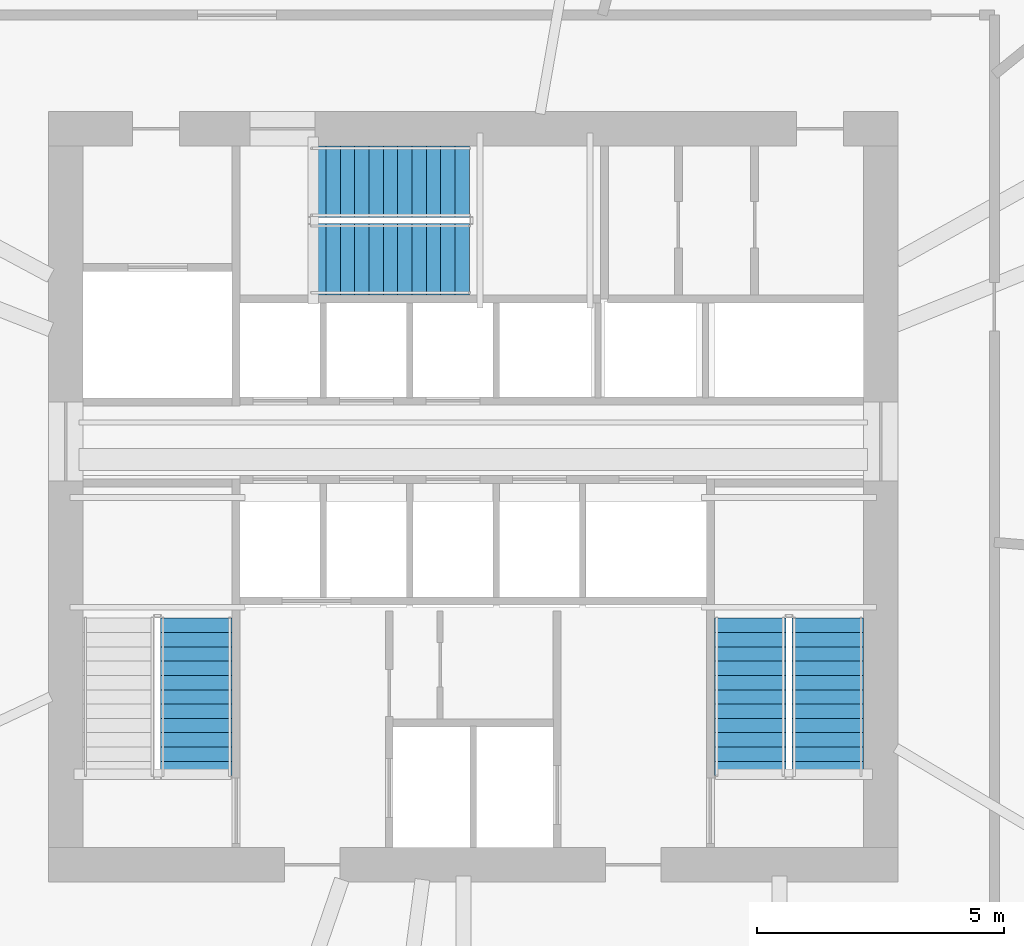
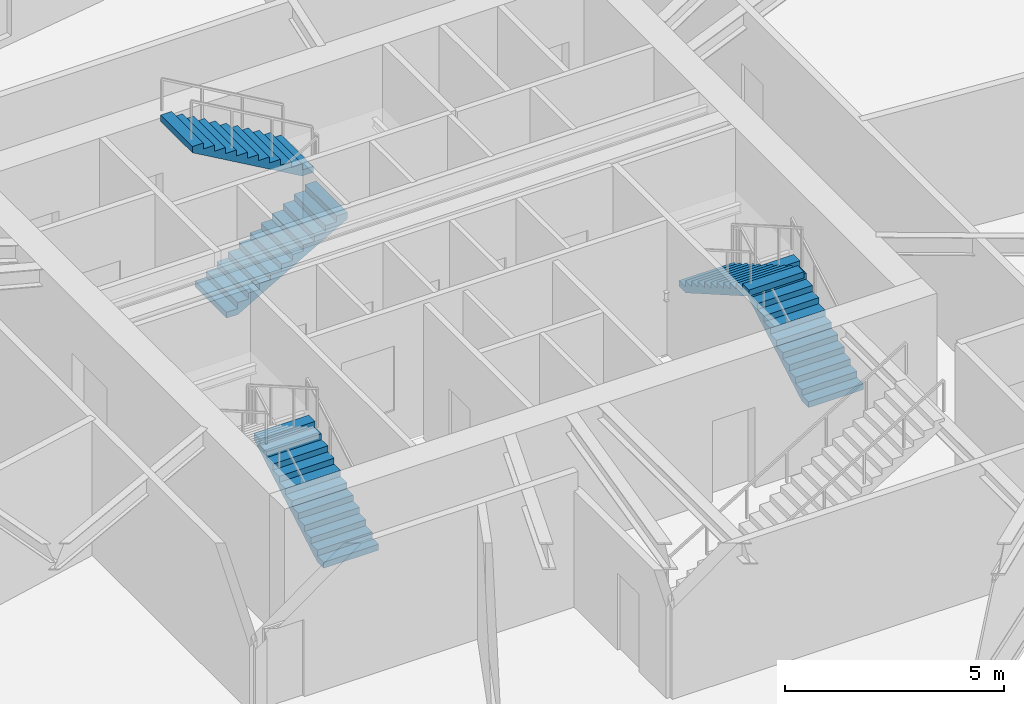
# One storey, part 14 of 16: 5 stair flights, 3 elements without a shape of their own.
"""IFC4 building model written with IfcOpenShell, lengths in metres."""

from ifc_helpers import new_model, si_unit, direction, frame, origin, place, context, subcontext, project, spatial, polyline, outline, extrude, material, type_object, element, aggregate, save


model = new_model("IFC4")

# Units and contexts
model_context = context("Model", 3, precision=1e-05, world=origin(), true_north=direction((0.0, 1.0)))
body_context = subcontext(model_context, "Body", "Model", "MODEL_VIEW")
ifc_project = project(units=[si_unit("LENGTHUNIT", "METRE"), si_unit("AREAUNIT", "SQUARE_METRE"), si_unit("VOLUMEUNIT", "CUBIC_METRE"), si_unit("PLANEANGLEUNIT", "RADIAN"), si_unit("MASSUNIT", "GRAM", prefix="KILO")], contexts=[model_context])

# Site, building, storey
site_placement = place(None, origin())
site = spatial("IfcSite", under=ifc_project, at=site_placement, CompositionType="ELEMENT")
building_placement = place(site_placement, origin())
building = spatial("IfcBuilding", under=site, at=building_placement, Name="Olszyna Solenne Hotel", CompositionType="ELEMENT")
storey_placement = place(building_placement, frame((0.0, 0.0, 134.10009765625)))
storey = spatial("IfcBuildingStorey", under=building, at=storey_placement, Name="L35", CompositionType="ELEMENT", Elevation=134.10009765625)

# Stair, stair flight
ifc_material = material(Name="Concrete C40/50", Category="concrete")
stair_type = type_object("IfcStairType", Name="STR-C1", PredefinedType="TWO_QUARTER_WINDING_STAIR", material=ifc_material)
stair_1_placement = place(storey_placement, origin())
stair_1 = element("IfcStair", 1, at=stair_1_placement, inside=storey, type_object=stair_type, Name="L35 ST1", PredefinedType="TWO_QUARTER_WINDING_STAIR")
stair_flight_type = type_object("IfcStairFlightType", Name="FLT-C1", PredefinedType="STRAIGHT", material=ifc_material)
stair_flight_1_placement = place(storey_placement, frame((32.39501953125, 20.949951171875, 0.0), z_axis=(0.0, 0.0, 1.0), x_axis=(0.0, 1.0, 0.0)))
stair_flight_1 = element("IfcStairFlight", 2, at=stair_flight_1_placement, type_object=stair_flight_type, Name="ST1 flight 1", NumberOfRisers=12, NumberOfTreads=11, PredefinedType="STRAIGHT", RiserHeight=0.166666667, TreadLength=0.29, context=body_context, shape_type="SweptSolid", body=[
    extrude(outline(polyline([(0.0, 0.0), (0.0, 0.166748046875), (0.2900390625, 0.166748046875), (0.2900390625, 0.333251953125), (0.580078125, 0.333251953125), (0.580078125, 0.5), (0.8701171875, 0.5), (0.8701171875, 0.666748046875), (1.159912109375, 0.666748046875), (1.159912109375, 0.833251953125), (1.449951171875, 0.833251953125), (1.449951171875, 1.0), (1.739990234375, 1.0), (1.739990234375, 1.166748046875), (2.030029296875, 1.166748046875), (2.030029296875, 1.333251953125), (2.320068359375, 1.333251953125), (2.320068359375, 1.5), (2.610107421875, 1.5), (2.610107421875, 1.666748046875), (2.89990234375, 1.666748046875), (2.89990234375, 1.833251953125), (3.18994140625, 1.833251953125), (3.18994140625, 2.0), (3.18994140625, 1.660400390625), (0.30078125, 0.0), (0.0, 0.0)])), frame((0.0, 0.72509765625, 0.0), z_axis=(0.0, -1.0, 0.0), x_axis=(1.0, 0.0, 0.0)), (0.0, 0.0, 1.0), 1.449951171875),
])
aggregate(stair_1, [stair_flight_1])

# Stair, stair flights
stair_2_placement = place(storey_placement, origin())
stair_2 = element("IfcStair", 3, at=stair_2_placement, inside=storey, type_object=stair_type, Name="L35 ST2", PredefinedType="TWO_QUARTER_WINDING_STAIR")
stair_flight_2_placement = place(storey_placement, frame((45.175048828125, 20.949951171875, 0.0), z_axis=(0.0, 0.0, 1.0), x_axis=(0.0, 1.0, 0.0)))
stair_flight_2 = element("IfcStairFlight", 4, at=stair_flight_2_placement, type_object=stair_flight_type, Name="ST2 flight 1", NumberOfRisers=12, NumberOfTreads=11, PredefinedType="STRAIGHT", RiserHeight=0.166666667, TreadLength=0.29, context=body_context, shape_type="SweptSolid", body=[
    extrude(outline(polyline([(0.0, 0.0), (0.0, 0.166748046875), (0.2900390625, 0.166748046875), (0.2900390625, 0.333251953125), (0.580078125, 0.333251953125), (0.580078125, 0.5), (0.8701171875, 0.5), (0.8701171875, 0.666748046875), (1.159912109375, 0.666748046875), (1.159912109375, 0.833251953125), (1.449951171875, 0.833251953125), (1.449951171875, 1.0), (1.739990234375, 1.0), (1.739990234375, 1.166748046875), (2.030029296875, 1.166748046875), (2.030029296875, 1.333251953125), (2.320068359375, 1.333251953125), (2.320068359375, 1.5), (2.610107421875, 1.5), (2.610107421875, 1.666748046875), (2.89990234375, 1.666748046875), (2.89990234375, 1.833251953125), (3.18994140625, 1.833251953125), (3.18994140625, 2.0), (3.18994140625, 1.660400390625), (0.30078125, 0.0), (0.0, 0.0)])), frame((0.0, 0.72509765625, 0.0), z_axis=(0.0, -1.0, 0.0), x_axis=(1.0, 0.0, 0.0)), (0.0, 0.0, 1.0), 1.449951171875),
])
stair_flight_3_placement = place(storey_placement, frame((43.60498046875, 24.139892578125, 2.0), z_axis=(0.0, 0.0, 1.0), x_axis=(0.0, -1.0, 0.0)))
stair_flight_3 = element("IfcStairFlight", 5, at=stair_flight_3_placement, type_object=stair_flight_type, Name="ST2 flight 2", NumberOfRisers=12, NumberOfTreads=11, PredefinedType="STRAIGHT", RiserHeight=0.166666667, TreadLength=0.29, context=body_context, shape_type="SweptSolid", body=[
    extrude(outline(polyline([(0.0, 0.0), (0.0, 0.166748046875), (0.2900390625, 0.166748046875), (0.2900390625, 0.333251953125), (0.580078125, 0.333251953125), (0.580078125, 0.5), (0.8701171875, 0.5), (0.8701171875, 0.666748046875), (1.159912109375, 0.666748046875), (1.159912109375, 0.833251953125), (1.449951171875, 0.833251953125), (1.449951171875, 1.0), (1.739990234375, 1.0), (1.739990234375, 1.166748046875), (2.030029296875, 1.166748046875), (2.030029296875, 1.333251953125), (2.320068359375, 1.333251953125), (2.320068359375, 1.5), (2.610107421875, 1.5), (2.610107421875, 1.666748046875), (2.89990234375, 1.666748046875), (2.89990234375, 1.833251953125), (3.18994140625, 1.833251953125), (3.18994140625, 2.0), (3.18994140625, 1.660400390625), (0.30078125, 0.0), (0.0, 0.0)])), frame((0.0, 0.72509765625, 0.0), z_axis=(0.0, -1.0, 0.0), x_axis=(1.0, 0.0, 0.0)), (0.0, 0.0, 1.0), 1.449951171875),
])
aggregate(stair_2, [stair_flight_2, stair_flight_3])

stair_3_placement = place(storey_placement, origin())
stair_3 = element("IfcStair", 6, at=stair_3_placement, inside=storey, type_object=stair_type, Name="L35 ST3", PredefinedType="TWO_QUARTER_WINDING_STAIR")
stair_flight_4_placement = place(storey_placement, frame((34.72998046875, 31.405029296875, 0.0), z_axis=(0.0, 0.0, 1.0), x_axis=(1.0, 0.0, 0.0)))
stair_flight_4 = element("IfcStairFlight", 7, at=stair_flight_4_placement, type_object=stair_flight_type, Name="ST3 flight 1", NumberOfRisers=12, NumberOfTreads=11, PredefinedType="STRAIGHT", RiserHeight=0.166666667, TreadLength=0.29, context=body_context, shape_type="SweptSolid", body=[
    extrude(outline(polyline([(0.0, 0.0), (0.0, 0.166748046875), (0.2900390625, 0.166748046875), (0.2900390625, 0.333251953125), (0.580078125, 0.333251953125), (0.580078125, 0.5), (0.8701171875, 0.5), (0.8701171875, 0.666748046875), (1.159912109375, 0.666748046875), (1.159912109375, 0.833251953125), (1.449951171875, 0.833251953125), (1.449951171875, 1.0), (1.739990234375, 1.0), (1.739990234375, 1.166748046875), (2.030029296875, 1.166748046875), (2.030029296875, 1.333251953125), (2.320068359375, 1.333251953125), (2.320068359375, 1.5), (2.610107421875, 1.5), (2.610107421875, 1.666748046875), (2.89990234375, 1.666748046875), (2.89990234375, 1.833251953125), (3.18994140625, 1.833251953125), (3.18994140625, 2.0), (3.18994140625, 1.660400390625), (0.30078125, 0.0), (0.0, 0.0)])), frame((0.0, 0.72509765625, 0.0), z_axis=(0.0, -1.0, 0.0), x_axis=(1.0, 0.0, 0.0)), (0.0, 0.0, 1.0), 1.449951171875),
])
stair_flight_5_placement = place(storey_placement, frame((37.919921875, 32.97509765625, 2.0), z_axis=(0.0, 0.0, 1.0), x_axis=(-1.0, 0.0, 0.0)))
stair_flight_5 = element("IfcStairFlight", 8, at=stair_flight_5_placement, type_object=stair_flight_type, Name="ST3 flight 2", NumberOfRisers=12, NumberOfTreads=11, PredefinedType="STRAIGHT", RiserHeight=0.166666667, TreadLength=0.29, context=body_context, shape_type="SweptSolid", body=[
    extrude(outline(polyline([(0.0, 0.0), (0.0, 0.166748046875), (0.2900390625, 0.166748046875), (0.2900390625, 0.333251953125), (0.580078125, 0.333251953125), (0.580078125, 0.5), (0.8701171875, 0.5), (0.8701171875, 0.666748046875), (1.159912109375, 0.666748046875), (1.159912109375, 0.833251953125), (1.449951171875, 0.833251953125), (1.449951171875, 1.0), (1.739990234375, 1.0), (1.739990234375, 1.166748046875), (2.030029296875, 1.166748046875), (2.030029296875, 1.333251953125), (2.320068359375, 1.333251953125), (2.320068359375, 1.5), (2.610107421875, 1.5), (2.610107421875, 1.666748046875), (2.89990234375, 1.666748046875), (2.89990234375, 1.833251953125), (3.18994140625, 1.833251953125), (3.18994140625, 2.0), (3.18994140625, 1.660400390625), (0.30078125, 0.0), (0.0, 0.0)])), frame((0.0, 0.72509765625, 0.0), z_axis=(0.0, -1.0, 0.0), x_axis=(1.0, 0.0, 0.0)), (0.0, 0.0, 1.0), 1.449951171875),
])
aggregate(stair_3, [stair_flight_4, stair_flight_5])

save(model, "model.ifc")
